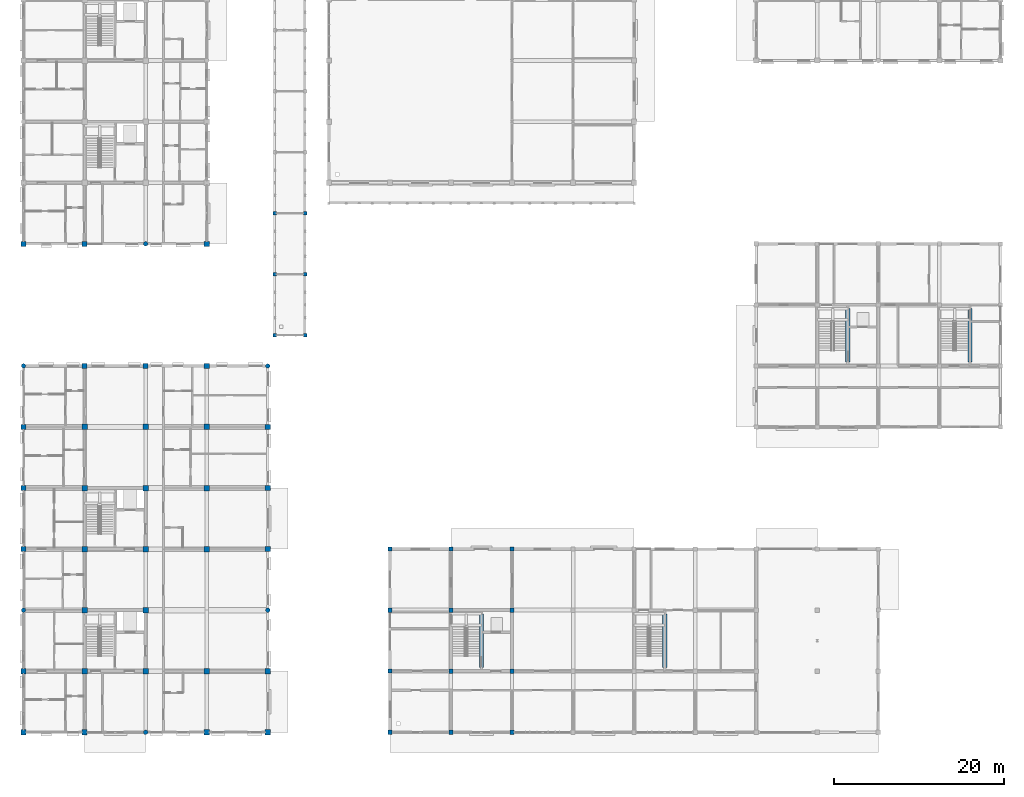
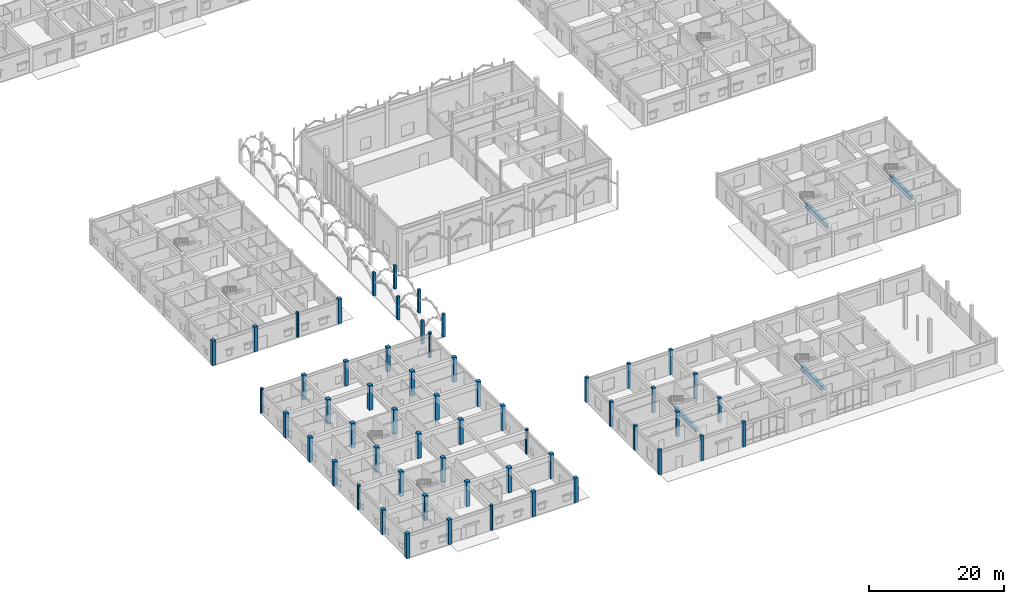
# One storey, part 1 of 138: 56 columns, 4 footings.
"""IFC4 building model written with IfcOpenShell, lengths in metres."""

from ifc_helpers import new_model, si_unit, direction, frame, origin, origin_2d, place, context, subcontext, project, spatial, polyline, rectangle, circle, outline, extrude, material, material_profile, profile_set, type_object, element, save


model = new_model("IFC4")

# Units and contexts
model_context = context("Model", 3, precision=1e-05, world=origin(), true_north=direction((0.0, 1.0)))
body_context = subcontext(model_context, "Body", "Model", "MODEL_VIEW")
ifc_project = project(units=[si_unit("LENGTHUNIT", "METRE"), si_unit("AREAUNIT", "SQUARE_METRE"), si_unit("VOLUMEUNIT", "CUBIC_METRE"), si_unit("PLANEANGLEUNIT", "RADIAN"), si_unit("MASSUNIT", "GRAM", prefix="KILO"), si_unit("THERMODYNAMICTEMPERATUREUNIT", "KELVIN"), si_unit("POWERUNIT", "WATT")], contexts=[model_context])

# Site, building, storey
site_placement = place(None, origin())
site = spatial("IfcSite", under=ifc_project, at=site_placement, CompositionType="ELEMENT")
building_placement = place(site_placement, origin())
building = spatial("IfcBuilding", under=site, at=building_placement, Name="Tavuni Mirador Residences", CompositionType="ELEMENT")
storey_placement = place(building_placement, origin())
storey = spatial("IfcBuildingStorey", under=building, at=storey_placement, Name="L00", CompositionType="ELEMENT", Elevation=0.0)

# Footings
ifc_material_1 = material(Name="In-situ concrete C35/45", Category="concrete")
footing_type = type_object("IfcFootingType", Name="FT-GB03", PredefinedType="FOOTING_BEAM", material=ifc_material_1)
footing_1_placement = place(storey_placement, frame((0.0, 0.0, -0.800048828125)))
element("IfcFooting", 1, at=footing_1_placement, inside=storey, type_object=footing_type, Name="CGB-CS1-M", PredefinedType="FOOTING_BEAM", context=body_context, shape_type="SweptSolid", body=[
    extrude(outline(polyline([(57.35009765625, 14.85009765625), (57.85009765625, 14.85009765625), (57.85009765625, 21.14990234375), (57.35009765625, 21.14990234375), (57.35009765625, 14.85009765625)])), origin(), (0.0, 0.0, 1.0), 0.800048828125),
])
footing_2_placement = place(storey_placement, frame((0.0, 0.0, -0.800048828125)))
element("IfcFooting", 2, at=footing_2_placement, inside=storey, type_object=footing_type, Name="CGB-CS2-M", PredefinedType="FOOTING_BEAM", context=body_context, shape_type="SweptSolid", body=[
    extrude(outline(polyline([(78.949951171875, 14.85009765625), (79.449951171875, 14.85009765625), (79.449951171875, 21.14990234375), (78.949951171875, 21.14990234375), (78.949951171875, 14.85009765625)])), origin(), (0.0, 0.0, 1.0), 0.800048828125),
])
footing_3_placement = place(storey_placement, frame((0.0, 0.0, -0.800048828125)))
element("IfcFooting", 3, at=footing_3_placement, inside=storey, type_object=footing_type, Name="CGB-CN1-M", PredefinedType="FOOTING_BEAM", context=body_context, shape_type="SweptSolid", body=[
    extrude(outline(polyline([(100.550048828125, 50.85009765625), (101.050048828125, 50.85009765625), (101.050048828125, 57.14990234375), (100.550048828125, 57.14990234375), (100.550048828125, 50.85009765625)])), origin(), (0.0, 0.0, 1.0), 0.800048828125),
])
footing_4_placement = place(storey_placement, frame((0.0, 0.0, -0.800048828125)))
element("IfcFooting", 4, at=footing_4_placement, inside=storey, type_object=footing_type, Name="CGB-CN2-M", PredefinedType="FOOTING_BEAM", context=body_context, shape_type="SweptSolid", body=[
    extrude(outline(polyline([(114.949951171875, 50.85009765625), (115.449951171875, 50.85009765625), (115.449951171875, 57.14990234375), (114.949951171875, 57.14990234375), (114.949951171875, 50.85009765625)])), origin(), (0.0, 0.0, 1.0), 0.800048828125),
])

# Columns
ifc_material_2 = material(Name="Precast concrete C40/50", Category="concrete")
ifc_material_profile_1 = material_profile(ifc_material_2, rectangle(XDim=0.419921875, YDim=0.419921875, at=origin_2d()), Name="CORAL 420x420", Category="concrete")
ifc_profile_set_1 = profile_set([ifc_material_profile_1], Name="Precast concrete C40/50")
column_type_1 = type_object("IfcColumnType", Name="CT-PIL420", PredefinedType="PILASTER", material=ifc_profile_set_1)
for number, where, z_axis, x_axis, name in (
    (5, (33.199951171875, 54.0, 0.0), (0.0, 0.0, 1.0), (1.0, 0.0, 0.0), "COL-PAV-COL-L00-00-00"),
    (6, (36.800048828125, 54.0, 0.0), (0.0, 0.0, 1.0), (1.0, 0.0, 0.0), "COL-PAV-COL-L00-01-00"),
    (7, (33.199951171875, 61.199951171875, 0.0), (0.0, 0.0, 1.0), (1.0, 0.0, 0.0), "COL-PAV-COL-L00-00-01"),
    (8, (36.800048828125, 61.199951171875, 0.0), (0.0, 0.0, 1.0), (1.0, 0.0, 0.0), "COL-PAV-COL-L00-01-01"),
    (9, (33.199951171875, 68.39990234375, 0.0), (0.0, 0.0, 1.0), (1.0, 0.0, 0.0), "COL-PAV-COL-L00-00-02"),
    (10, (36.800048828125, 68.39990234375, 0.0), (0.0, 0.0, 1.0), (1.0, 0.0, 0.0), "COL-PAV-COL-L00-01-02"),
):
    element("IfcColumn", number, at=place(storey_placement, frame(where, z_axis=z_axis, x_axis=x_axis)), inside=storey, type_object=column_type_1, Name=name, PredefinedType="PILASTER", context=body_context, shape_type="SweptSolid", body=[
        extrude(rectangle(XDim=0.419921875, YDim=0.419921875, at=origin_2d()), origin(), (0.0, 0.0, 1.0), 4.199951171875),
    ])
ifc_material_profile_2 = material_profile(ifc_material_2, rectangle(XDim=0.47998046875, YDim=0.47998046875, at=origin_2d()), Name="CORAL 480x480", Category="concrete")
ifc_profile_set_2 = profile_set([ifc_material_profile_2], Name="Precast concrete C40/50")
column_type_2 = type_object("IfcColumnType", Name="CT-PIL480", PredefinedType="PILASTER", material=ifc_profile_set_2)
for number, where, z_axis, x_axis, name in (
    (11, (46.800048828125, 14.39990234375, 0.0), (0.0, 0.0, 1.0), (1.0, 0.0, 0.0), "COL-PAV-SHOP-L00-00-01"),
    (12, (54.0, 7.199951171875, 0.0), (0.0, 0.0, 1.0), (1.0, 0.0, 0.0), "COL-PAV-SHOP-L00-01-00"),
    (13, (54.0, 28.800048828125, 0.0), (0.0, 0.0, 1.0), (1.0, 0.0, 0.0), "COL-PAV-SHOP-L00-01-03"),
):
    element("IfcColumn", number, at=place(storey_placement, frame(where, z_axis=z_axis, x_axis=x_axis)), inside=storey, type_object=column_type_2, Name=name, PredefinedType="PILASTER", context=body_context, shape_type="SweptSolid", body=[
        extrude(rectangle(XDim=0.47998046875, YDim=0.47998046875, at=origin_2d()), origin(), (0.0, 0.0, 1.0), 4.5),
    ])
ifc_material_profile_3 = material_profile(ifc_material_2, rectangle(XDim=0.5, YDim=0.5, at=origin_2d()), Name="RC 500x500", Category="concrete")
ifc_profile_set_3 = profile_set([ifc_material_profile_3], Name="Precast concrete C40/50")
column_type_3 = type_object("IfcColumnType", Name="CT-RC500", PredefinedType="COLUMN", material=ifc_profile_set_3)
for number, where, z_axis, x_axis, name in (
    (14, (46.800048828125, 7.199951171875, 0.0), (0.0, 0.0, 1.0), (1.0, 0.0, 0.0), "COL-PAV-SHOP-L00-00-00"),
    (15, (46.800048828125, 21.60009765625, 0.0), (0.0, 0.0, 1.0), (1.0, 0.0, 0.0), "COL-PAV-SHOP-L00-00-02"),
    (16, (46.800048828125, 28.800048828125, 0.0), (0.0, 0.0, 1.0), (1.0, 0.0, 0.0), "COL-PAV-SHOP-L00-00-03"),
    (17, (54.0, 14.39990234375, 0.0), (0.0, 0.0, 1.0), (1.0, 0.0, 0.0), "COL-PAV-SHOP-L00-01-01"),
    (18, (54.0, 21.60009765625, 0.0), (0.0, 0.0, 1.0), (1.0, 0.0, 0.0), "COL-PAV-SHOP-L00-01-02"),
    (19, (61.199951171875, 7.199951171875, 0.0), (0.0, 0.0, 1.0), (1.0, 0.0, 0.0), "COL-PAV-SHOP-L00-02-00"),
    (20, (61.199951171875, 14.39990234375, 0.0), (0.0, 0.0, 1.0), (1.0, 0.0, 0.0), "COL-PAV-SHOP-L00-02-01"),
    (21, (61.199951171875, 21.60009765625, 0.0), (0.0, 0.0, 1.0), (1.0, 0.0, 0.0), "COL-PAV-SHOP-L00-02-02"),
    (22, (61.199951171875, 28.800048828125, 0.0), (0.0, 0.0, 1.0), (1.0, 0.0, 0.0), "COL-PAV-SHOP-L00-02-03"),
):
    element("IfcColumn", number, at=place(storey_placement, frame(where, z_axis=z_axis, x_axis=x_axis)), inside=storey, type_object=column_type_3, Name=name, PredefinedType="COLUMN", context=body_context, shape_type="SweptSolid", body=[
        extrude(rectangle(XDim=0.5, YDim=0.5, at=origin_2d()), origin(), (0.0, 0.0, 1.0), 4.5),
    ])
ifc_material_profile_4 = material_profile(ifc_material_2, rectangle(XDim=0.60009765625, YDim=0.60009765625, at=origin_2d()), Name="RC 600x600", Category="concrete")
ifc_profile_set_4 = profile_set([ifc_material_profile_4], Name="Precast concrete C40/50")
column_type_4 = type_object("IfcColumnType", Name="CT-RC600", PredefinedType="COLUMN", material=ifc_profile_set_4)
for number, where, z_axis, x_axis, name in (
    (23, (3.60009765625, 7.199951171875, 0.0), (0.0, 0.0, 1.0), (1.0, 0.0, 0.0), "COL-BLK-A-L00-00-00"),
    (24, (3.60009765625, 14.39990234375, 0.0), (0.0, 0.0, 1.0), (1.0, 0.0, 0.0), "COL-BLK-A-L00-00-01"),
    (25, (3.60009765625, 28.800048828125, 0.0), (0.0, 0.0, 1.0), (1.0, 0.0, 0.0), "COL-BLK-A-L00-00-03"),
    (26, (3.60009765625, 36.0, 0.0), (0.0, 0.0, 1.0), (1.0, 0.0, 0.0), "COL-BLK-A-L00-00-04"),
    (27, (3.60009765625, 43.199951171875, 0.0), (0.0, 0.0, 1.0), (1.0, 0.0, 0.0), "COL-BLK-A-L00-00-05"),
    (28, (10.800048828125, 7.199951171875, 0.0), (0.0, 0.0, 1.0), (1.0, 0.0, 0.0), "COL-BLK-A-L00-01-00"),
    (29, (10.800048828125, 50.39990234375, 0.0), (0.0, 0.0, 1.0), (1.0, 0.0, 0.0), "COL-BLK-A-L00-01-06"),
    (30, (18.0, 50.39990234375, 0.0), (0.0, 0.0, 1.0), (1.0, 0.0, 0.0), "COL-BLK-A-L00-02-06"),
    (31, (25.199951171875, 7.199951171875, 0.0), (0.0, 0.0, 1.0), (1.0, 0.0, 0.0), "COL-BLK-A-L00-03-00"),
    (32, (25.199951171875, 50.39990234375, 0.0), (0.0, 0.0, 1.0), (1.0, 0.0, 0.0), "COL-BLK-A-L00-03-06"),
    (33, (32.39990234375, 7.199951171875, 0.0), (0.0, 0.0, 1.0), (1.0, 0.0, 0.0), "COL-BLK-A-L00-04-00"),
    (34, (32.39990234375, 14.39990234375, 0.0), (0.0, 0.0, 1.0), (1.0, 0.0, 0.0), "COL-BLK-A-L00-04-01"),
    (35, (32.39990234375, 28.800048828125, 0.0), (0.0, 0.0, 1.0), (1.0, 0.0, 0.0), "COL-BLK-A-L00-04-03"),
    (36, (32.39990234375, 36.0, 0.0), (0.0, 0.0, 1.0), (1.0, 0.0, 0.0), "COL-BLK-A-L00-04-04"),
    (37, (32.39990234375, 43.199951171875, 0.0), (0.0, 0.0, 1.0), (1.0, 0.0, 0.0), "COL-BLK-A-L00-04-05"),
    (38, (3.60009765625, 64.800048828125, 0.0), (0.0, 0.0, 1.0), (1.0, 0.0, 0.0), "COL-BLK-B-L00-00-00"),
    (39, (10.800048828125, 64.800048828125, 0.0), (0.0, 0.0, 1.0), (1.0, 0.0, 0.0), "COL-BLK-B-L00-01-00"),
    (40, (25.199951171875, 64.800048828125, 0.0), (0.0, 0.0, 1.0), (1.0, 0.0, 0.0), "COL-BLK-B-L00-03-00"),
):
    element("IfcColumn", number, at=place(storey_placement, frame(where, z_axis=z_axis, x_axis=x_axis)), inside=storey, type_object=column_type_4, Name=name, PredefinedType="COLUMN", context=body_context, shape_type="SweptSolid", body=[
        extrude(rectangle(XDim=0.60009765625, YDim=0.60009765625, at=origin_2d()), origin(), (0.0, 0.0, 1.0), 4.5),
    ])
ifc_material_profile_5 = material_profile(ifc_material_1, rectangle(XDim=0.64990234375, YDim=0.64990234375, at=origin_2d()), Name="RC 650x650", Category="concrete")
ifc_profile_set_5 = profile_set([ifc_material_profile_5], Name="In-situ concrete C35/45")
column_type_5 = type_object("IfcColumnType", Name="CT-RC650", PredefinedType="COLUMN", material=ifc_profile_set_5)
for number, where, z_axis, x_axis, name in (
    (41, (10.800048828125, 14.39990234375, 0.0), (0.0, 0.0, 1.0), (1.0, 0.0, 0.0), "COL-BLK-A-L00-01-01"),
    (42, (10.800048828125, 21.60009765625, 0.0), (0.0, 0.0, 1.0), (1.0, 0.0, 0.0), "COL-BLK-A-L00-01-02"),
    (43, (10.800048828125, 28.800048828125, 0.0), (0.0, 0.0, 1.0), (1.0, 0.0, 0.0), "COL-BLK-A-L00-01-03"),
    (44, (10.800048828125, 36.0, 0.0), (0.0, 0.0, 1.0), (1.0, 0.0, 0.0), "COL-BLK-A-L00-01-04"),
    (45, (10.800048828125, 43.199951171875, 0.0), (0.0, 0.0, 1.0), (1.0, 0.0, 0.0), "COL-BLK-A-L00-01-05"),
    (46, (18.0, 14.39990234375, 0.0), (0.0, 0.0, 1.0), (1.0, 0.0, 0.0), "COL-BLK-A-L00-02-01"),
    (47, (18.0, 21.60009765625, 0.0), (0.0, 0.0, 1.0), (1.0, 0.0, 0.0), "COL-BLK-A-L00-02-02"),
    (48, (18.0, 28.800048828125, 0.0), (0.0, 0.0, 1.0), (1.0, 0.0, 0.0), "COL-BLK-A-L00-02-03"),
    (49, (18.0, 36.0, 0.0), (0.0, 0.0, 1.0), (1.0, 0.0, 0.0), "COL-BLK-A-L00-02-04"),
    (50, (18.0, 43.199951171875, 0.0), (0.0, 0.0, 1.0), (1.0, 0.0, 0.0), "COL-BLK-A-L00-02-05"),
    (51, (25.199951171875, 14.39990234375, 0.0), (0.0, 0.0, 1.0), (1.0, 0.0, 0.0), "COL-BLK-A-L00-03-01"),
    (52, (25.199951171875, 28.800048828125, 0.0), (0.0, 0.0, 1.0), (1.0, 0.0, 0.0), "COL-BLK-A-L00-03-03"),
    (53, (25.199951171875, 36.0, 0.0), (0.0, 0.0, 1.0), (1.0, 0.0, 0.0), "COL-BLK-A-L00-03-04"),
    (54, (25.199951171875, 43.199951171875, 0.0), (0.0, 0.0, 1.0), (1.0, 0.0, 0.0), "COL-BLK-A-L00-03-05"),
):
    element("IfcColumn", number, at=place(storey_placement, frame(where, z_axis=z_axis, x_axis=x_axis)), inside=storey, type_object=column_type_5, Name=name, PredefinedType="COLUMN", context=body_context, shape_type="SweptSolid", body=[
        extrude(rectangle(XDim=0.64990234375, YDim=0.64990234375, at=origin_2d()), origin(), (0.0, 0.0, 1.0), 4.5),
    ])
ifc_material_profile_6 = material_profile(ifc_material_2, circle(Radius=0.260009765625, at=origin_2d()), Name="RC D520", Category="concrete")
ifc_profile_set_6 = profile_set([ifc_material_profile_6], Name="Precast concrete C40/50")
column_type_6 = type_object("IfcColumnType", Name="CT-RCD520", PredefinedType="COLUMN", material=ifc_profile_set_6)
for number, where, z_axis, x_axis, name in (
    (55, (3.60009765625, 21.60009765625, 0.0), (0.0, 0.0, 1.0), (1.0, 0.0, 0.0), "COL-BLK-A-L00-00-02"),
    (56, (3.60009765625, 50.39990234375, 0.0), (0.0, 0.0, 1.0), (1.0, 0.0, 0.0), "COL-BLK-A-L00-00-06"),
    (57, (18.0, 7.199951171875, 0.0), (0.0, 0.0, 1.0), (1.0, 0.0, 0.0), "COL-BLK-A-L00-02-00"),
    (58, (32.39990234375, 21.60009765625, 0.0), (0.0, 0.0, 1.0), (1.0, 0.0, 0.0), "COL-BLK-A-L00-04-02"),
    (59, (32.39990234375, 50.39990234375, 0.0), (0.0, 0.0, 1.0), (1.0, 0.0, 0.0), "COL-BLK-A-L00-04-06"),
    (60, (18.0, 64.800048828125, 0.0), (0.0, 0.0, 1.0), (1.0, 0.0, 0.0), "COL-BLK-B-L00-02-00"),
):
    element("IfcColumn", number, at=place(storey_placement, frame(where, z_axis=z_axis, x_axis=x_axis)), inside=storey, type_object=column_type_6, Name=name, PredefinedType="COLUMN", context=body_context, shape_type="SweptSolid", body=[
        extrude(circle(Radius=0.260009765625, at=origin_2d()), origin(), (0.0, 0.0, 1.0), 4.5),
    ])

save(model, "model.ifc")
